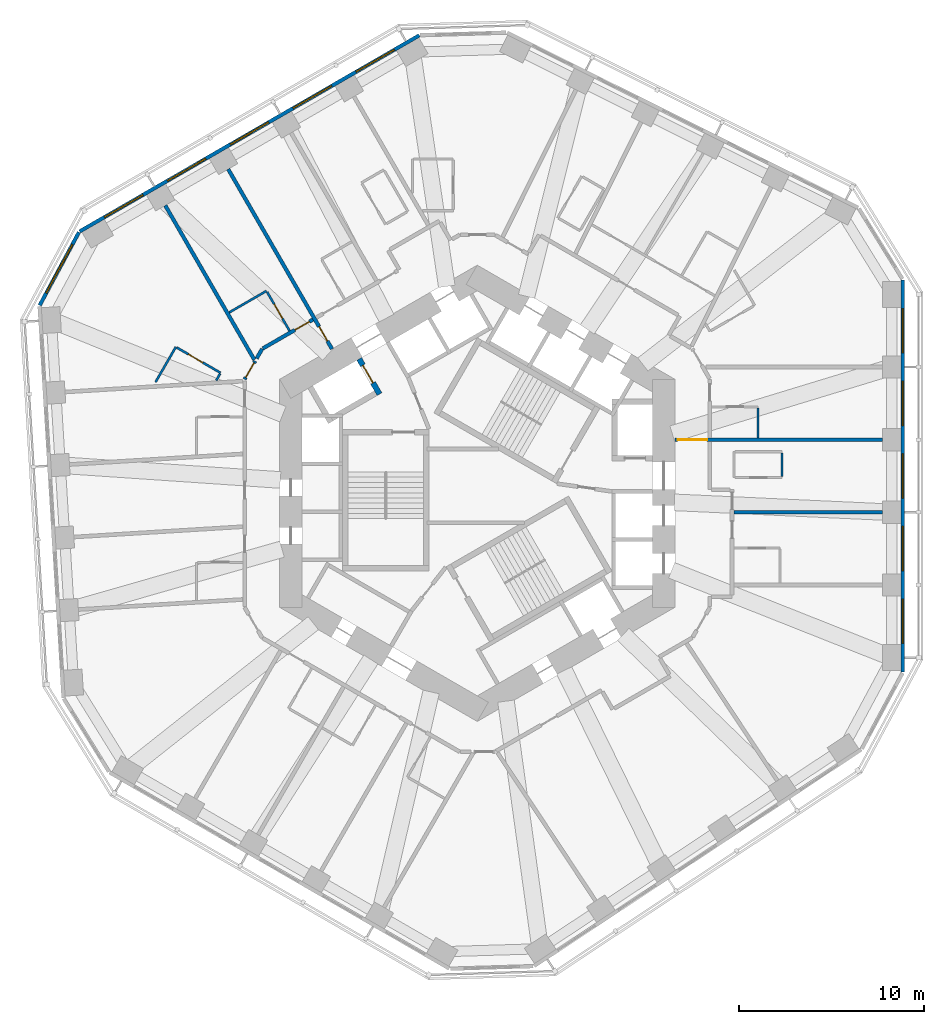
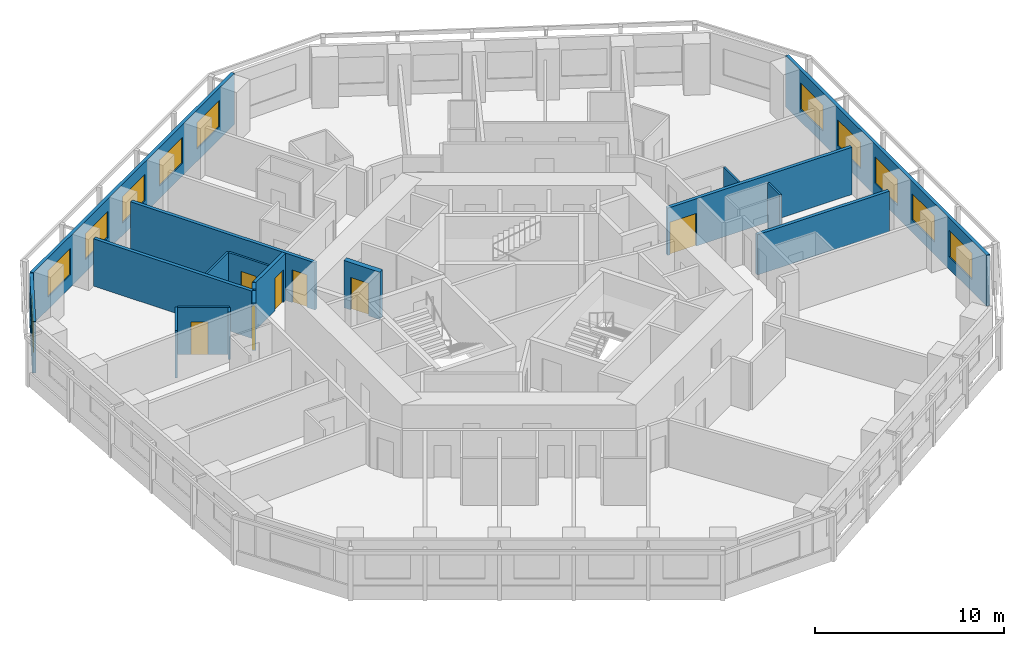
# One storey, part 7 of 12: 18 walls, 11 windows, 7 doors, 18 openings.
"""IFC4 building model written with IfcOpenShell, lengths in metres."""

from ifc_helpers import new_model, si_unit, direction, frame, frame_2d, origin, place, context, subcontext, project, spatial, rectangle, extrude, material, layer, layer_set, type_object, element, fill, save


model = new_model("IFC4")

# Units and contexts
model_context = context("Model", 3, precision=1e-05, world=origin(), true_north=direction((0.0, 1.0)))
body_context = subcontext(model_context, "Body", "Model", "MODEL_VIEW")
ifc_project = project(units=[si_unit("LENGTHUNIT", "METRE"), si_unit("AREAUNIT", "SQUARE_METRE"), si_unit("VOLUMEUNIT", "CUBIC_METRE"), si_unit("PLANEANGLEUNIT", "RADIAN"), si_unit("MASSUNIT", "GRAM", prefix="KILO")], contexts=[model_context])

# Site, building, storey
site_placement = place(None, origin())
site = spatial("IfcSite", under=ifc_project, at=site_placement, CompositionType="ELEMENT")
building_placement = place(site_placement, origin())
building = spatial("IfcBuilding", under=site, at=building_placement, Name="Vanh Sen Convention Tower", CompositionType="ELEMENT")
storey_placement = place(building_placement, frame((0.0, 0.0, 90.199951171875)))
storey = spatial("IfcBuildingStorey", under=building, at=storey_placement, Name="L20", CompositionType="ELEMENT", Elevation=90.199951171875)

# Wall
ifc_material_1 = material(Name="Moisture-resistant gypsum board on steel studs", Category="steel")
ifc_layer_1 = layer(ifc_material_1, 0.1201171875)
ifc_layer_set_1 = layer_set([ifc_layer_1], Name="Moisture-resistant gypsum board on steel studs")
wall_type_1 = type_object("IfcWallType", Name="Bathroom partition 120", PredefinedType="PARTITIONING", material=ifc_layer_set_1)
wall_1_placement = place(storey_placement, frame((-17.42578125, 6.019287109375, 0.0), z_axis=(0.0, 0.0, 1.0), x_axis=(0.50002983664, 0.866008176907, 0.0)))
element("IfcWall", 1, at=wall_1_placement, inside=storey, type_object=wall_type_1, Name="Bathroom partition 120", PredefinedType="PARTITIONING", context=body_context, shape_type="SweptSolid", body=[
    extrude(rectangle(XDim=2.199951171875, YDim=0.1201171875, at=frame_2d((1.10009765625, 0.0))), origin(), (0.0, 0.0, 1.0), 3.050048828125),
])

# Wall, opening, door
wall_2_placement = place(storey_placement, frame((-16.273681640625, 7.89453125, 0.0), z_axis=(0.0, 0.0, 1.0), x_axis=(0.865997131366, -0.500048966069, 0.0)))
wall_2 = element("IfcWall", 2, at=wall_2_placement, inside=storey, type_object=wall_type_1, Name="Bathroom partition 120", PredefinedType="PARTITIONING", context=body_context, shape_type="SweptSolid", body=[
    extrude(rectangle(XDim=2.739990234375, YDim=0.1201171875, at=frame_2d((1.3701171875, 0.0))), origin(), (0.0, 0.0, 1.0), 3.050048828125),
])
opening_1_placement = place(wall_2_placement, frame((0.719970703125, 0.0, 0.0)))
opening_1 = element("IfcOpeningElement", 3, at=opening_1_placement, cuts=wall_2, Name="Opening D19124", PredefinedType="OPENING", context=body_context, shape_type="SweptSolid", body=[
    extrude(rectangle(XDim=0.89990234375, YDim=2.10009765625, at=frame_2d((0.449951171875, 1.050048828125))), frame((0.0, 0.070068359375, 0.0), z_axis=(0.0, -1.0, 0.0), x_axis=(1.0, 0.0, 0.0)), (0.0, 0.0, 1.0), 0.14013671875),
])
ifc_material_2 = material(Name="Laminate door in steel frame", Category="steel")
door_type_1 = type_object("IfcDoorType", Name="En-suite door 900", OperationType="SINGLE_SWING_LEFT", PredefinedType="DOOR", material=ifc_material_2)
door_1_placement = place(opening_1_placement, origin())
door_1 = element("IfcDoor", 4, at=door_1_placement, inside=storey, type_object=door_type_1, Name="En-suite door D19124", OperationType="SINGLE_SWING_LEFT", OverallHeight=2.10009765625, OverallWidth=0.89990234375, PredefinedType="DOOR", context=body_context, shape_type="SweptSolid", body=[
    extrude(rectangle(XDim=0.89990234375, YDim=2.10009765625, at=frame_2d((0.449951171875, 1.050048828125))), frame((0.0, 0.02490234375, 0.0), z_axis=(0.0, -1.0, 0.0), x_axis=(1.0, 0.0, 0.0)), (0.0, 0.0, 1.0), 0.050048828125),
])
fill(opening_1, door_1)

# Walls
wall_3_placement = place(storey_placement, frame((-13.930908203125, 6.472412109375, 0.0), z_axis=(0.0, 0.0, 1.0), x_axis=(-0.499739399214, -0.866175809448, 0.0)))
element("IfcWall", 5, at=wall_3_placement, inside=storey, type_object=wall_type_1, Name="Bathroom partition 120", PredefinedType="PARTITIONING", context=body_context, shape_type="SweptSolid", body=[
    extrude(rectangle(XDim=0.415771484375, YDim=0.1201171875, at=frame_2d((0.2080078125, 0.0))), origin(), (0.0, 0.0, 1.0), 3.050048828125),
])
wall_4_placement = place(storey_placement, frame((-13.436279296875, 9.7939453125, 0.0), z_axis=(0.0, 0.0, 1.0), x_axis=(0.866053246676, 0.499951771596, 0.0)))
element("IfcWall", 6, at=wall_4_placement, inside=storey, type_object=wall_type_1, Name="Bathroom partition 120", PredefinedType="PARTITIONING", context=body_context, shape_type="SweptSolid", body=[
    extrude(rectangle(XDim=2.334716796875, YDim=0.1201171875, at=frame_2d((1.16748046875, 0.0))), origin(), (0.0, 0.0, 1.0), 3.050048828125),
])

# Wall, opening, door
wall_5_placement = place(storey_placement, frame((-11.384521484375, 10.9091796875, 0.0), z_axis=(0.0, 0.0, 1.0), x_axis=(0.500077547548, -0.865980627057, 0.0)))
wall_5 = element("IfcWall", 7, at=wall_5_placement, inside=storey, type_object=wall_type_1, Name="Bathroom partition 120", PredefinedType="PARTITIONING", context=body_context, shape_type="SweptSolid", body=[
    extrude(rectangle(XDim=2.43994140625, YDim=0.1201171875, at=frame_2d((1.219970703125, 0.0))), origin(), (0.0, 0.0, 1.0), 3.050048828125),
])
opening_2_placement = place(wall_5_placement, frame((0.77001953125, 0.0, 0.0)))
opening_2 = element("IfcOpeningElement", 8, at=opening_2_placement, cuts=wall_5, Name="Opening D19122", PredefinedType="OPENING", context=body_context, shape_type="SweptSolid", body=[
    extrude(rectangle(XDim=0.89990234375, YDim=2.10009765625, at=frame_2d((0.449951171875, 1.050048828125))), frame((0.0, 0.070068359375, 0.0), z_axis=(0.0, -1.0, 0.0), x_axis=(1.0, 0.0, 0.0)), (0.0, 0.0, 1.0), 0.14013671875),
])
door_2_placement = place(opening_2_placement, origin())
door_2 = element("IfcDoor", 9, at=door_2_placement, inside=storey, type_object=door_type_1, Name="En-suite door D19122", OperationType="SINGLE_SWING_LEFT", OverallHeight=2.10009765625, OverallWidth=0.89990234375, PredefinedType="DOOR", context=body_context, shape_type="SweptSolid", body=[
    extrude(rectangle(XDim=0.89990234375, YDim=2.10009765625, at=frame_2d((0.449951171875, 1.050048828125))), frame((0.0, 0.02490234375, 0.0), z_axis=(0.0, -1.0, 0.0), x_axis=(1.0, 0.0, 0.0)), (0.0, 0.0, 1.0), 0.050048828125),
])
fill(opening_2, door_2)

# Walls
wall_6_placement = place(storey_placement, frame((15.199951171875, 4.61767578125, 0.0), z_axis=(0.0, 0.0, 1.0), x_axis=(0.0, -1.0, 0.0)))
element("IfcWall", 10, at=wall_6_placement, inside=storey, type_object=wall_type_1, Name="Bathroom partition 120", PredefinedType="PARTITIONING", context=body_context, shape_type="SweptSolid", body=[
    extrude(rectangle(XDim=1.61328125, YDim=0.1201171875, at=frame_2d((0.806640625, 0.0))), origin(), (0.0, 0.0, 1.0), 3.050048828125),
])
wall_7_placement = place(storey_placement, frame((16.5, 2.19287109375, 0.0), z_axis=(0.0, 0.0, 1.0), x_axis=(0.0, -1.0, 0.0)))
element("IfcWall", 11, at=wall_7_placement, inside=storey, type_object=wall_type_1, Name="Bathroom partition 120", PredefinedType="PARTITIONING", context=body_context, shape_type="SweptSolid", body=[
    extrude(rectangle(XDim=1.280029296875, YDim=0.1201171875, at=frame_2d((0.64013671875, 0.0))), origin(), (0.0, 0.0, 1.0), 3.050048828125),
])

# Wall, opening, door
ifc_material_3 = material(Name="Gypsum board on steel studs with mineral wool", Category="steel")
ifc_layer_2 = layer(ifc_material_3, 0.199951171875)
ifc_layer_set_2 = layer_set([ifc_layer_2], Name="Gypsum board on steel studs with mineral wool")
wall_type_2 = type_object("IfcWallType", Name="Corridor partition wall 200", PredefinedType="PARTITIONING", material=ifc_layer_set_2)
wall_8_placement = place(storey_placement, frame((-12.031982421875, 7.16162109375, 0.0), z_axis=(0.0, 0.0, 1.0), x_axis=(-0.499951829968, -0.866053212979, 0.0)))
wall_8 = element("IfcWall", 12, at=wall_8_placement, inside=storey, type_object=wall_type_2, Name="Corridor partition wall 200", PredefinedType="PARTITIONING", context=body_context, shape_type="SweptSolid", body=[
    extrude(rectangle(XDim=1.13623046875, YDim=0.199951171875, at=frame_2d((0.568115234375, 0.0))), origin(), (0.0, 0.0, 1.0), 3.050048828125),
])
opening_3_placement = place(wall_8_placement, frame((0.1181640625, 0.0, 0.0)))
opening_3 = element("IfcOpeningElement", 13, at=opening_3_placement, cuts=wall_8, Name="Opening D19123", PredefinedType="OPENING", context=body_context, shape_type="SweptSolid", body=[
    extrude(rectangle(XDim=0.89990234375, YDim=2.10009765625, at=frame_2d((0.449951171875, 1.050048828125))), frame((0.0, 0.10986328125, 0.0), z_axis=(0.0, -1.0, 0.0), x_axis=(1.0, 0.0, 0.0)), (0.0, 0.0, 1.0), 0.219970703125),
])
ifc_material_4 = material(Name="Timber fire door in steel frame", Category="steel")
door_type_2 = type_object("IfcDoorType", Name="Guest room door 900", OperationType="SINGLE_SWING_LEFT", PredefinedType="DOOR", material=ifc_material_4)
door_3_placement = place(opening_3_placement, origin())
door_3 = element("IfcDoor", 14, at=door_3_placement, inside=storey, type_object=door_type_2, Name="Hotel guest room door D19123", OperationType="SINGLE_SWING_LEFT", OverallHeight=2.10009765625, OverallWidth=0.89990234375, PredefinedType="DOOR", context=body_context, shape_type="SweptSolid", body=[
    extrude(rectangle(XDim=0.89990234375, YDim=2.10009765625, at=frame_2d((0.449951171875, 1.050048828125))), frame((0.0, 0.02490234375, 0.0), z_axis=(0.0, -1.0, 0.0), x_axis=(1.0, 0.0, 0.0)), (0.0, 0.0, 1.0), 0.050048828125),
])
fill(opening_3, door_3)

# Wall
wall_9_placement = place(storey_placement, frame((-11.64990234375, 7.822998046875, 0.0), z_axis=(0.0, 0.0, 1.0), x_axis=(-0.50012165622, -0.865955154139, 0.0)))
element("IfcWall", 15, at=wall_9_placement, inside=storey, type_object=wall_type_2, Name="Corridor partition wall 200", PredefinedType="PARTITIONING", context=body_context, shape_type="SweptSolid", body=[
    extrude(rectangle(XDim=0.599853515625, YDim=0.199951171875, at=frame_2d((0.2998046875, 0.0))), origin(), (0.0, 0.0, 1.0), 3.050048828125),
])

# Wall, opening, door
wall_10_placement = place(storey_placement, frame((-8.902099609375, 9.40966796875, 0.0), z_axis=(0.0, 0.0, 1.0), x_axis=(-0.866014299198, -0.500019233215, 0.0)))
wall_10 = element("IfcWall", 16, at=wall_10_placement, inside=storey, type_object=wall_type_2, Name="Corridor partition wall 200", PredefinedType="PARTITIONING", context=body_context, shape_type="SweptSolid", body=[
    extrude(rectangle(XDim=3.13330078125, YDim=0.199951171875, at=frame_2d((1.566650390625, 0.0))), origin(), (0.0, 0.0, 1.0), 3.050048828125),
])
opening_4_placement = place(wall_10_placement, frame((0.22509765625, 0.0, 0.0)))
opening_4 = element("IfcOpeningElement", 17, at=opening_4_placement, cuts=wall_10, Name="Opening D19121", PredefinedType="OPENING", context=body_context, shape_type="SweptSolid", body=[
    extrude(rectangle(XDim=0.89990234375, YDim=2.10009765625, at=frame_2d((0.449951171875, 1.050048828125))), frame((0.0, 0.10986328125, 0.0), z_axis=(0.0, -1.0, 0.0), x_axis=(1.0, 0.0, 0.0)), (0.0, 0.0, 1.0), 0.219970703125),
])
door_4_placement = place(opening_4_placement, origin())
door_4 = element("IfcDoor", 18, at=door_4_placement, inside=storey, type_object=door_type_2, Name="Hotel guest room door D19121", OperationType="SINGLE_SWING_LEFT", OverallHeight=2.10009765625, OverallWidth=0.89990234375, PredefinedType="DOOR", context=body_context, shape_type="SweptSolid", body=[
    extrude(rectangle(XDim=0.89990234375, YDim=2.10009765625, at=frame_2d((0.449951171875, 1.050048828125))), frame((0.0, 0.02490234375, 0.0), z_axis=(0.0, -1.0, 0.0), x_axis=(1.0, 0.0, 0.0)), (0.0, 0.0, 1.0), 0.050048828125),
])
fill(opening_4, door_4)

# Wall, openings, windows
ifc_material_5 = material(Name="Insulated lightweight infill wall")
ifc_layer_3 = layer(ifc_material_5, 0.199951171875)
ifc_layer_set_3 = layer_set([ifc_layer_3], Name="Insulated lightweight infill wall")
wall_type_3 = type_object("IfcWallType", Name="External wall 200", PredefinedType="STANDARD", material=ifc_layer_set_3)
wall_11_placement = place(storey_placement, frame((23.050048828125, -9.6865234375, 0.0), z_axis=(0.0, 0.0, 1.0), x_axis=(0.0, 1.0, 0.0)))
wall_11 = element("IfcWall", 19, at=wall_11_placement, inside=storey, type_object=wall_type_3, Name="External wall E L20", PredefinedType="STANDARD", context=body_context, shape_type="SweptSolid", body=[
    extrude(rectangle(XDim=21.24609375, YDim=0.199951171875, at=frame_2d((10.623046875, 0.0))), origin(), (0.0, 0.0, 1.0), 3.300048828125),
])
opening_5_placement = place(wall_11_placement, frame((1.5546875, 0.0, 0.800048828125)))
opening_5 = element("IfcOpeningElement", 20, at=opening_5_placement, cuts=wall_11, Name="Opening WH1-E1", PredefinedType="OPENING", context=body_context, shape_type="SweptSolid", body=[
    extrude(rectangle(XDim=2.39990234375, YDim=1.699951171875, at=frame_2d((1.199951171875, 0.85009765625))), frame((0.0, 0.10986328125, 0.0), z_axis=(0.0, -1.0, 0.0), x_axis=(1.0, 0.0, 0.0)), (0.0, 0.0, 1.0), 0.219970703125),
])
opening_6_placement = place(wall_11_placement, frame((5.4892578125, 0.0, 0.800048828125)))
opening_6 = element("IfcOpeningElement", 21, at=opening_6_placement, cuts=wall_11, Name="Opening WH1-E2", PredefinedType="OPENING", context=body_context, shape_type="SweptSolid", body=[
    extrude(rectangle(XDim=2.39990234375, YDim=1.699951171875, at=frame_2d((1.199951171875, 0.85009765625))), frame((0.0, 0.10986328125, 0.0), z_axis=(0.0, -1.0, 0.0), x_axis=(1.0, 0.0, 0.0)), (0.0, 0.0, 1.0), 0.219970703125),
])
opening_7_placement = place(wall_11_placement, frame((9.423828125, 0.0, 0.800048828125)))
opening_7 = element("IfcOpeningElement", 22, at=opening_7_placement, cuts=wall_11, Name="Opening WH1-E3", PredefinedType="OPENING", context=body_context, shape_type="SweptSolid", body=[
    extrude(rectangle(XDim=2.39990234375, YDim=1.699951171875, at=frame_2d((1.199951171875, 0.85009765625))), frame((0.0, 0.10986328125, 0.0), z_axis=(0.0, -1.0, 0.0), x_axis=(1.0, 0.0, 0.0)), (0.0, 0.0, 1.0), 0.219970703125),
])
opening_8_placement = place(wall_11_placement, frame((13.3583984375, 0.0, 0.800048828125)))
opening_8 = element("IfcOpeningElement", 23, at=opening_8_placement, cuts=wall_11, Name="Opening WH1-E4", PredefinedType="OPENING", context=body_context, shape_type="SweptSolid", body=[
    extrude(rectangle(XDim=2.39990234375, YDim=1.699951171875, at=frame_2d((1.199951171875, 0.85009765625))), frame((0.0, 0.10986328125, 0.0), z_axis=(0.0, -1.0, 0.0), x_axis=(1.0, 0.0, 0.0)), (0.0, 0.0, 1.0), 0.219970703125),
])
opening_9_placement = place(wall_11_placement, frame((17.29296875, 0.0, 0.800048828125)))
opening_9 = element("IfcOpeningElement", 24, at=opening_9_placement, cuts=wall_11, Name="Opening WH1-E5", PredefinedType="OPENING", context=body_context, shape_type="SweptSolid", body=[
    extrude(rectangle(XDim=2.39990234375, YDim=1.699951171875, at=frame_2d((1.199951171875, 0.85009765625))), frame((0.0, 0.10986328125, 0.0), z_axis=(0.0, -1.0, 0.0), x_axis=(1.0, 0.0, 0.0)), (0.0, 0.0, 1.0), 0.219970703125),
])
ifc_material_6 = material(Name="Aluminium frame with clear low-emissivity glass", Category="aluminium")
window_type_1 = type_object("IfcWindowType", Name="Hotel window 2400 x 1700", PartitioningType="SINGLE_PANEL", PredefinedType="WINDOW", material=ifc_material_6)
window_1_placement = place(opening_5_placement, origin())
window_1 = element("IfcWindow", 25, at=window_1_placement, inside=storey, type_object=window_type_1, Name="Window WH1-E1", OverallHeight=1.699951171875, OverallWidth=2.39990234375, PartitioningType="SINGLE_PANEL", PredefinedType="WINDOW", context=body_context, shape_type="SweptSolid", body=[
    extrude(rectangle(XDim=2.39990234375, YDim=1.699951171875, at=frame_2d((1.199951171875, 0.85009765625))), frame((0.0, 0.030029296875, 0.0), z_axis=(0.0, -1.0, 0.0), x_axis=(1.0, 0.0, 0.0)), (0.0, 0.0, 1.0), 0.06005859375),
])
fill(opening_5, window_1)
window_2_placement = place(opening_6_placement, origin())
window_2 = element("IfcWindow", 26, at=window_2_placement, inside=storey, type_object=window_type_1, Name="Window WH1-E2", OverallHeight=1.699951171875, OverallWidth=2.39990234375, PartitioningType="SINGLE_PANEL", PredefinedType="WINDOW", context=body_context, shape_type="SweptSolid", body=[
    extrude(rectangle(XDim=2.39990234375, YDim=1.699951171875, at=frame_2d((1.199951171875, 0.85009765625))), frame((0.0, 0.030029296875, 0.0), z_axis=(0.0, -1.0, 0.0), x_axis=(1.0, 0.0, 0.0)), (0.0, 0.0, 1.0), 0.06005859375),
])
fill(opening_6, window_2)
window_3_placement = place(opening_7_placement, origin())
window_3 = element("IfcWindow", 27, at=window_3_placement, inside=storey, type_object=window_type_1, Name="Window WH1-E3", OverallHeight=1.699951171875, OverallWidth=2.39990234375, PartitioningType="SINGLE_PANEL", PredefinedType="WINDOW", context=body_context, shape_type="SweptSolid", body=[
    extrude(rectangle(XDim=2.39990234375, YDim=1.699951171875, at=frame_2d((1.199951171875, 0.85009765625))), frame((0.0, 0.030029296875, 0.0), z_axis=(0.0, -1.0, 0.0), x_axis=(1.0, 0.0, 0.0)), (0.0, 0.0, 1.0), 0.06005859375),
])
fill(opening_7, window_3)
window_4_placement = place(opening_8_placement, origin())
window_4 = element("IfcWindow", 28, at=window_4_placement, inside=storey, type_object=window_type_1, Name="Window WH1-E4", OverallHeight=1.699951171875, OverallWidth=2.39990234375, PartitioningType="SINGLE_PANEL", PredefinedType="WINDOW", context=body_context, shape_type="SweptSolid", body=[
    extrude(rectangle(XDim=2.39990234375, YDim=1.699951171875, at=frame_2d((1.199951171875, 0.85009765625))), frame((0.0, 0.030029296875, 0.0), z_axis=(0.0, -1.0, 0.0), x_axis=(1.0, 0.0, 0.0)), (0.0, 0.0, 1.0), 0.06005859375),
])
fill(opening_8, window_4)
window_5_placement = place(opening_9_placement, origin())
window_5 = element("IfcWindow", 29, at=window_5_placement, inside=storey, type_object=window_type_1, Name="Window WH1-E5", OverallHeight=1.699951171875, OverallWidth=2.39990234375, PartitioningType="SINGLE_PANEL", PredefinedType="WINDOW", context=body_context, shape_type="SweptSolid", body=[
    extrude(rectangle(XDim=2.39990234375, YDim=1.699951171875, at=frame_2d((1.199951171875, 0.85009765625))), frame((0.0, 0.030029296875, 0.0), z_axis=(0.0, -1.0, 0.0), x_axis=(1.0, 0.0, 0.0)), (0.0, 0.0, 1.0), 0.06005859375),
])
fill(opening_9, window_5)

wall_12_placement = place(storey_placement, frame((-3.135986328125, 24.80517578125, 0.0), z_axis=(0.0, 0.0, 1.0), x_axis=(-0.866028291626, -0.499994998079, 0.0)))
wall_12 = element("IfcWall", 30, at=wall_12_placement, inside=storey, type_object=wall_type_3, Name="External wall NW L20", PredefinedType="STANDARD", context=body_context, shape_type="SweptSolid", body=[
    extrude(rectangle(XDim=21.246337890625, YDim=0.199951171875, at=frame_2d((10.623046875, 0.0))), origin(), (0.0, 0.0, 1.0), 3.300048828125),
])
opening_10_placement = place(wall_12_placement, frame((1.5546875, 0.0, 0.800048828125)))
opening_10 = element("IfcOpeningElement", 31, at=opening_10_placement, cuts=wall_12, Name="Opening WH1-NW1", PredefinedType="OPENING", context=body_context, shape_type="SweptSolid", body=[
    extrude(rectangle(XDim=2.39990234375, YDim=1.699951171875, at=frame_2d((1.199951171875, 0.85009765625))), frame((0.0, 0.10986328125, 0.0), z_axis=(0.0, -1.0, 0.0), x_axis=(1.0, 0.0, 0.0)), (0.0, 0.0, 1.0), 0.219970703125),
])
opening_11_placement = place(wall_12_placement, frame((5.4892578125, 0.0, 0.800048828125)))
opening_11 = element("IfcOpeningElement", 32, at=opening_11_placement, cuts=wall_12, Name="Opening WH1-NW2", PredefinedType="OPENING", context=body_context, shape_type="SweptSolid", body=[
    extrude(rectangle(XDim=2.39990234375, YDim=1.699951171875, at=frame_2d((1.199951171875, 0.85009765625))), frame((0.0, 0.10986328125, 0.0), z_axis=(0.0, -1.0, 0.0), x_axis=(1.0, 0.0, 0.0)), (0.0, 0.0, 1.0), 0.219970703125),
])
opening_12_placement = place(wall_12_placement, frame((9.423828125, 0.0, 0.800048828125)))
opening_12 = element("IfcOpeningElement", 33, at=opening_12_placement, cuts=wall_12, Name="Opening WH1-NW3", PredefinedType="OPENING", context=body_context, shape_type="SweptSolid", body=[
    extrude(rectangle(XDim=2.39990234375, YDim=1.699951171875, at=frame_2d((1.199951171875, 0.85009765625))), frame((0.0, 0.10986328125, 0.0), z_axis=(0.0, -1.0, 0.0), x_axis=(1.0, 0.0, 0.0)), (0.0, 0.0, 1.0), 0.219970703125),
])
opening_13_placement = place(wall_12_placement, frame((13.3583984375, 0.0, 0.800048828125)))
opening_13 = element("IfcOpeningElement", 34, at=opening_13_placement, cuts=wall_12, Name="Opening WH1-NW4", PredefinedType="OPENING", context=body_context, shape_type="SweptSolid", body=[
    extrude(rectangle(XDim=2.39990234375, YDim=1.699951171875, at=frame_2d((1.199951171875, 0.85009765625))), frame((0.0, 0.10986328125, 0.0), z_axis=(0.0, -1.0, 0.0), x_axis=(1.0, 0.0, 0.0)), (0.0, 0.0, 1.0), 0.219970703125),
])
opening_14_placement = place(wall_12_placement, frame((17.293212890625, 0.0, 0.800048828125)))
opening_14 = element("IfcOpeningElement", 35, at=opening_14_placement, cuts=wall_12, Name="Opening WH1-NW5", PredefinedType="OPENING", context=body_context, shape_type="SweptSolid", body=[
    extrude(rectangle(XDim=2.39990234375, YDim=1.699951171875, at=frame_2d((1.199951171875, 0.85009765625))), frame((0.0, 0.10986328125, 0.0), z_axis=(0.0, -1.0, 0.0), x_axis=(1.0, 0.0, 0.0)), (0.0, 0.0, 1.0), 0.219970703125),
])
window_6_placement = place(opening_10_placement, origin())
window_6 = element("IfcWindow", 36, at=window_6_placement, inside=storey, type_object=window_type_1, Name="Window WH1-NW1", OverallHeight=1.699951171875, OverallWidth=2.39990234375, PartitioningType="SINGLE_PANEL", PredefinedType="WINDOW", context=body_context, shape_type="SweptSolid", body=[
    extrude(rectangle(XDim=2.39990234375, YDim=1.699951171875, at=frame_2d((1.199951171875, 0.85009765625))), frame((0.0, 0.030029296875, 0.0), z_axis=(0.0, -1.0, 0.0), x_axis=(1.0, 0.0, 0.0)), (0.0, 0.0, 1.0), 0.06005859375),
])
fill(opening_10, window_6)
window_7_placement = place(opening_11_placement, origin())
window_7 = element("IfcWindow", 37, at=window_7_placement, inside=storey, type_object=window_type_1, Name="Window WH1-NW2", OverallHeight=1.699951171875, OverallWidth=2.39990234375, PartitioningType="SINGLE_PANEL", PredefinedType="WINDOW", context=body_context, shape_type="SweptSolid", body=[
    extrude(rectangle(XDim=2.39990234375, YDim=1.699951171875, at=frame_2d((1.199951171875, 0.85009765625))), frame((0.0, 0.030029296875, 0.0), z_axis=(0.0, -1.0, 0.0), x_axis=(1.0, 0.0, 0.0)), (0.0, 0.0, 1.0), 0.06005859375),
])
fill(opening_11, window_7)
window_8_placement = place(opening_12_placement, origin())
window_8 = element("IfcWindow", 38, at=window_8_placement, inside=storey, type_object=window_type_1, Name="Window WH1-NW3", OverallHeight=1.699951171875, OverallWidth=2.39990234375, PartitioningType="SINGLE_PANEL", PredefinedType="WINDOW", context=body_context, shape_type="SweptSolid", body=[
    extrude(rectangle(XDim=2.39990234375, YDim=1.699951171875, at=frame_2d((1.199951171875, 0.85009765625))), frame((0.0, 0.030029296875, 0.0), z_axis=(0.0, -1.0, 0.0), x_axis=(1.0, 0.0, 0.0)), (0.0, 0.0, 1.0), 0.06005859375),
])
fill(opening_12, window_8)
window_9_placement = place(opening_13_placement, origin())
window_9 = element("IfcWindow", 39, at=window_9_placement, inside=storey, type_object=window_type_1, Name="Window WH1-NW4", OverallHeight=1.699951171875, OverallWidth=2.39990234375, PartitioningType="SINGLE_PANEL", PredefinedType="WINDOW", context=body_context, shape_type="SweptSolid", body=[
    extrude(rectangle(XDim=2.39990234375, YDim=1.699951171875, at=frame_2d((1.199951171875, 0.85009765625))), frame((0.0, 0.030029296875, 0.0), z_axis=(0.0, -1.0, 0.0), x_axis=(1.0, 0.0, 0.0)), (0.0, 0.0, 1.0), 0.06005859375),
])
fill(opening_13, window_9)
window_10_placement = place(opening_14_placement, origin())
window_10 = element("IfcWindow", 40, at=window_10_placement, inside=storey, type_object=window_type_1, Name="Window WH1-NW5", OverallHeight=1.699951171875, OverallWidth=2.39990234375, PartitioningType="SINGLE_PANEL", PredefinedType="WINDOW", context=body_context, shape_type="SweptSolid", body=[
    extrude(rectangle(XDim=2.39990234375, YDim=1.699951171875, at=frame_2d((1.199951171875, 0.85009765625))), frame((0.0, 0.030029296875, 0.0), z_axis=(0.0, -1.0, 0.0), x_axis=(1.0, 0.0, 0.0)), (0.0, 0.0, 1.0), 0.06005859375),
])
fill(opening_14, window_10)

# Wall, opening, window
wall_13_placement = place(storey_placement, frame((-21.573974609375, 14.142822265625, 0.0), z_axis=(0.0, 0.0, 1.0), x_axis=(-0.473292949472, -0.880905093628, 0.0)))
wall_13 = element("IfcWall", 41, at=wall_13_placement, inside=storey, type_object=wall_type_3, Name="External wall CH3 L20", PredefinedType="STANDARD", context=body_context, shape_type="SweptSolid", body=[
    extrude(rectangle(XDim=4.493896484375, YDim=0.199951171875, at=frame_2d((2.2470703125, 0.0))), origin(), (0.0, 0.0, 1.0), 3.300048828125),
])
opening_15_placement = place(wall_13_placement, frame((0.746826171875, 0.0, 0.800048828125)))
opening_15 = element("IfcOpeningElement", 42, at=opening_15_placement, cuts=wall_13, Name="Opening WH2-CH31", PredefinedType="OPENING", context=body_context, shape_type="SweptSolid", body=[
    extrude(rectangle(XDim=3.0, YDim=1.699951171875, at=frame_2d((1.5, 0.85009765625))), frame((0.0, 0.10986328125, 0.0), z_axis=(0.0, -1.0, 0.0), x_axis=(1.0, 0.0, 0.0)), (0.0, 0.0, 1.0), 0.219970703125),
])
window_type_2 = type_object("IfcWindowType", Name="Hotel window 3000 x 1700", PartitioningType="SINGLE_PANEL", PredefinedType="WINDOW", material=ifc_material_6)
window_11_placement = place(opening_15_placement, origin())
window_11 = element("IfcWindow", 43, at=window_11_placement, inside=storey, type_object=window_type_2, Name="Window WH2-CH31", OverallHeight=1.699951171875, OverallWidth=3.0, PartitioningType="SINGLE_PANEL", PredefinedType="WINDOW", context=body_context, shape_type="SweptSolid", body=[
    extrude(rectangle(XDim=3.0, YDim=1.699951171875, at=frame_2d((1.5, 0.85009765625))), frame((0.0, 0.030029296875, 0.0), z_axis=(0.0, -1.0, 0.0), x_axis=(1.0, 0.0, 0.0)), (0.0, 0.0, 1.0), 0.06005859375),
])
fill(opening_15, window_11)

# Wall, opening, door
ifc_material_7 = material(Name="Concrete C60/75", Category="concrete")
ifc_layer_4 = layer(ifc_material_7, 0.300048828125)
ifc_layer_set_4 = layer_set([ifc_layer_4], Name="Concrete C60/75")
wall_type_4 = type_object("IfcWallType", Name="Fire-fighting lift shaft wall 300", PredefinedType="SHEAR", material=ifc_layer_set_4)
wall_14_placement = place(storey_placement, frame((-5.29541015625, 5.3720703125, 0.0), z_axis=(0.0, 0.0, 1.0), x_axis=(-0.500077893725, 0.86598042715, 0.0)))
wall_14 = element("IfcWall", 44, at=wall_14_placement, inside=storey, type_object=wall_type_4, Name="Fire-fighting lift shaft wall L20", PredefinedType="SHEAR", context=body_context, shape_type="SweptSolid", body=[
    extrude(rectangle(XDim=2.199951171875, YDim=0.300048828125, at=frame_2d((1.10009765625, 0.0))), origin(), (0.0, 0.0, 1.0), 3.050048828125),
])
opening_16_placement = place(wall_14_placement, frame((0.699951171875, 0.0, 0.0)))
opening_16 = element("IfcOpeningElement", 45, at=opening_16_placement, cuts=wall_14, Name="Opening LD-FF2", PredefinedType="OPENING", context=body_context, shape_type="SweptSolid", body=[
    extrude(rectangle(XDim=1.10009765625, YDim=2.10009765625, at=frame_2d((0.550048828125, 1.050048828125))), frame((0.0, 0.159912109375, 0.0), z_axis=(0.0, -1.0, 0.0), x_axis=(1.0, 0.0, 0.0)), (0.0, 0.0, 1.0), 0.320068359375),
])
ifc_material_8 = material(Name="Stainless steel", Category="steel")
door_type_3 = type_object("IfcDoorType", Name="Fire-fighting lift landing door 1100", OperationType="DOUBLE_DOOR_SLIDING", PredefinedType="DOOR", material=ifc_material_8)
door_5_placement = place(opening_16_placement, origin())
door_5 = element("IfcDoor", 46, at=door_5_placement, inside=storey, type_object=door_type_3, Name="Lift FF2 landing door LD-FF2", OperationType="DOUBLE_DOOR_SLIDING", OverallHeight=2.10009765625, OverallWidth=1.10009765625, PredefinedType="DOOR", context=body_context, shape_type="SweptSolid", body=[
    extrude(rectangle(XDim=1.10009765625, YDim=2.10009765625, at=frame_2d((0.550048828125, 1.050048828125))), frame((0.0, 0.02490234375, 0.0), z_axis=(0.0, -1.0, 0.0), x_axis=(1.0, 0.0, 0.0)), (0.0, 0.0, 1.0), 0.050048828125),
])
fill(opening_16, door_5)

# Walls
ifc_layer_5 = layer(ifc_material_3, 0.199951171875)
ifc_layer_set_5 = layer_set([ifc_layer_5], Name="Gypsum board on steel studs with mineral wool")
wall_type_5 = type_object("IfcWallType", Name="Hotel party wall 200", PredefinedType="PARTITIONING", material=ifc_layer_set_5)
wall_15_placement = place(storey_placement, frame((-16.89794921875, 15.589599609375, 0.0), z_axis=(0.0, 0.0, 1.0), x_axis=(0.499994742786, -0.866028439017, 0.0)))
element("IfcWall", 47, at=wall_15_placement, inside=storey, type_object=wall_type_5, Name="Hotel party wall 200", PredefinedType="PARTITIONING", context=body_context, shape_type="SweptSolid", body=[
    extrude(rectangle(XDim=9.64990234375, YDim=0.199951171875, at=frame_2d((4.824951171875, 0.0))), origin(), (0.0, 0.0, 1.0), 3.050048828125),
])
wall_16_placement = place(storey_placement, frame((21.949951171875, -1.030029296875, 0.0), z_axis=(0.0, 0.0, 1.0), x_axis=(-1.0, 0.0, 0.0)))
element("IfcWall", 48, at=wall_16_placement, inside=storey, type_object=wall_type_5, Name="Hotel party wall 200", PredefinedType="PARTITIONING", context=body_context, shape_type="SweptSolid", body=[
    extrude(rectangle(XDim=8.049072265625, YDim=0.199951171875, at=frame_2d((4.0244140625, 0.0))), origin(), (0.0, 0.0, 1.0), 2.60009765625),
])

# Wall, opening, door
ifc_material_9 = material(Name="Concrete C20/25", Category="concrete")
ifc_layer_6 = layer(ifc_material_9, 0.199951171875)
ifc_layer_set_6 = layer_set([ifc_layer_6], Name="Concrete C20/25")
wall_type_6 = type_object("IfcWallType", Name="Sub-compartment wall 200", PredefinedType="PARTITIONING", material=ifc_layer_set_6)
wall_17_placement = place(storey_placement, frame((-7.865478515625, 7.814208984375, 0.0), z_axis=(0.0, 0.0, 1.0), x_axis=(-0.500004234368, 0.866022959057, 0.0)))
wall_17 = element("IfcWall", 49, at=wall_17_placement, inside=storey, type_object=wall_type_6, Name="Sub-compartment wall 200", PredefinedType="PARTITIONING", context=body_context, shape_type="SweptSolid", body=[
    extrude(rectangle(XDim=11.25, YDim=0.199951171875, at=frame_2d((5.625, 0.0))), origin(), (0.0, 0.0, 1.0), 3.050048828125),
])
opening_17_placement = place(wall_17_placement, frame((0.5, 0.0, 0.0)))
opening_17 = element("IfcOpeningElement", 50, at=opening_17_placement, cuts=wall_17, Name="Opening D19140", PredefinedType="OPENING", context=body_context, shape_type="SweptSolid", body=[
    extrude(rectangle(XDim=0.89990234375, YDim=2.10009765625, at=frame_2d((0.449951171875, 1.050048828125))), frame((0.0, 0.10986328125, 0.0), z_axis=(0.0, -1.0, 0.0), x_axis=(1.0, 0.0, 0.0)), (0.0, 0.0, 1.0), 0.219970703125),
])
ifc_material_10 = material(Name="Steel S355", Category="steel")
door_type_4 = type_object("IfcDoorType", Name="Corridor fire door 900", OperationType="SINGLE_SWING_LEFT", PredefinedType="DOOR", material=ifc_material_10)
door_6_placement = place(opening_17_placement, origin())
door_6 = element("IfcDoor", 51, at=door_6_placement, inside=storey, type_object=door_type_4, Name="Sub-compartment door D19140", OperationType="SINGLE_SWING_LEFT", OverallHeight=2.10009765625, OverallWidth=0.89990234375, PredefinedType="DOOR", context=body_context, shape_type="SweptSolid", body=[
    extrude(rectangle(XDim=0.89990234375, YDim=2.10009765625, at=frame_2d((0.449951171875, 1.050048828125))), frame((0.0, 0.02490234375, 0.0), z_axis=(0.0, -1.0, 0.0), x_axis=(1.0, 0.0, 0.0)), (0.0, 0.0, 1.0), 0.050048828125),
])
fill(opening_17, door_6)

wall_18_placement = place(storey_placement, frame((21.949951171875, 2.904541015625, 0.0), z_axis=(0.0, 0.0, 1.0), x_axis=(-1.0, 0.0, 0.0)))
wall_18 = element("IfcWall", 52, at=wall_18_placement, inside=storey, type_object=wall_type_6, Name="Sub-compartment wall 200", PredefinedType="PARTITIONING", context=body_context, shape_type="SweptSolid", body=[
    extrude(rectangle(XDim=11.25, YDim=0.199951171875, at=frame_2d((5.625, 0.0))), origin(), (0.0, 0.0, 1.0), 3.050048828125),
])
opening_18_placement = place(wall_18_placement, frame((9.5, 0.0, 0.0)))
opening_18 = element("IfcOpeningElement", 53, at=opening_18_placement, cuts=wall_18, Name="Opening D19141", PredefinedType="OPENING", context=body_context, shape_type="SweptSolid", body=[
    extrude(rectangle(XDim=1.60009765625, YDim=2.10009765625, at=frame_2d((0.800048828125, 1.050048828125))), frame((0.0, 0.10986328125, 0.0), z_axis=(0.0, -1.0, 0.0), x_axis=(1.0, 0.0, 0.0)), (0.0, 0.0, 1.0), 0.219970703125),
])
door_type_5 = type_object("IfcDoorType", Name="Corridor fire door 1600", OperationType="DOUBLE_DOOR_SINGLE_SWING", PredefinedType="DOOR", material=ifc_material_10)
door_7_placement = place(opening_18_placement, origin())
door_7 = element("IfcDoor", 54, at=door_7_placement, inside=storey, type_object=door_type_5, Name="Sub-compartment door D19141", OperationType="DOUBLE_DOOR_SINGLE_SWING", OverallHeight=2.10009765625, OverallWidth=1.60009765625, PredefinedType="DOOR", context=body_context, shape_type="SweptSolid", body=[
    extrude(rectangle(XDim=1.60009765625, YDim=2.10009765625, at=frame_2d((0.800048828125, 1.050048828125))), frame((0.0, 0.02490234375, 0.0), z_axis=(0.0, -1.0, 0.0), x_axis=(1.0, 0.0, 0.0)), (0.0, 0.0, 1.0), 0.050048828125),
])
fill(opening_18, door_7)

save(model, "model.ifc")
